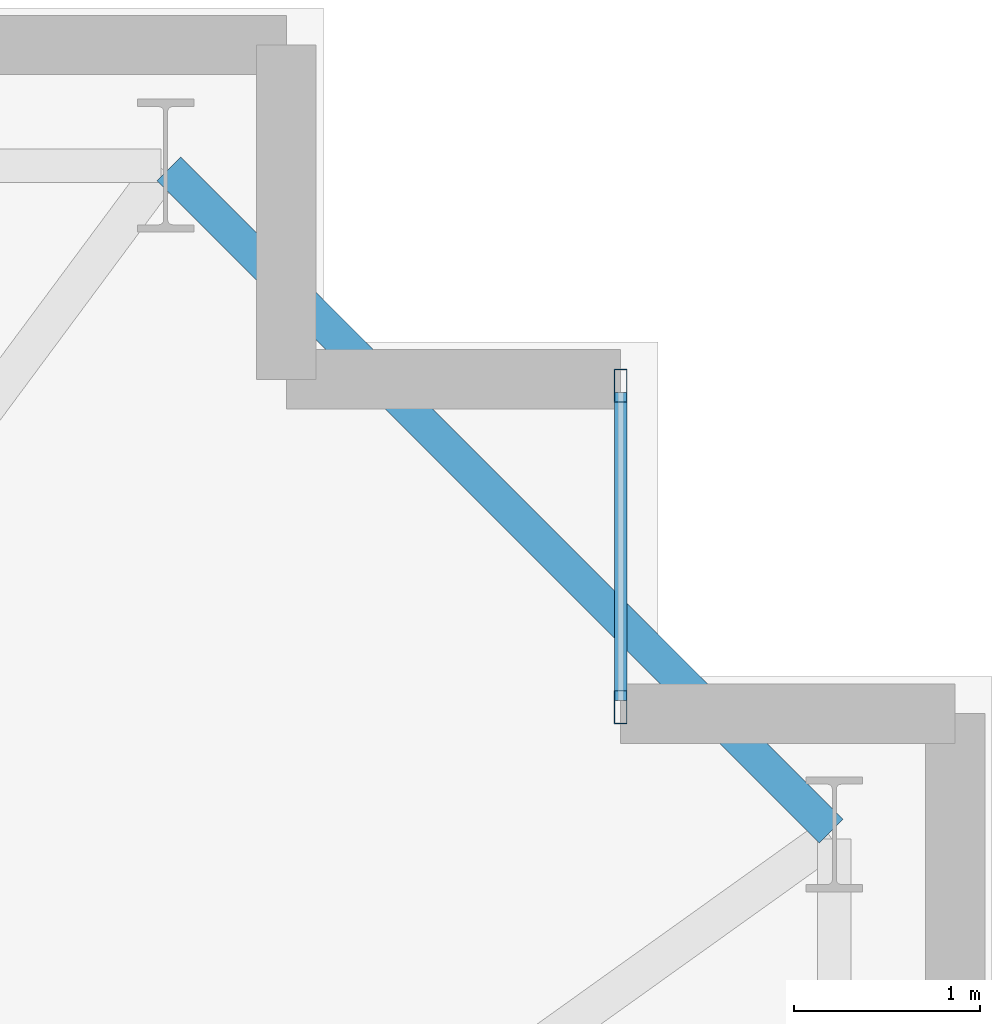
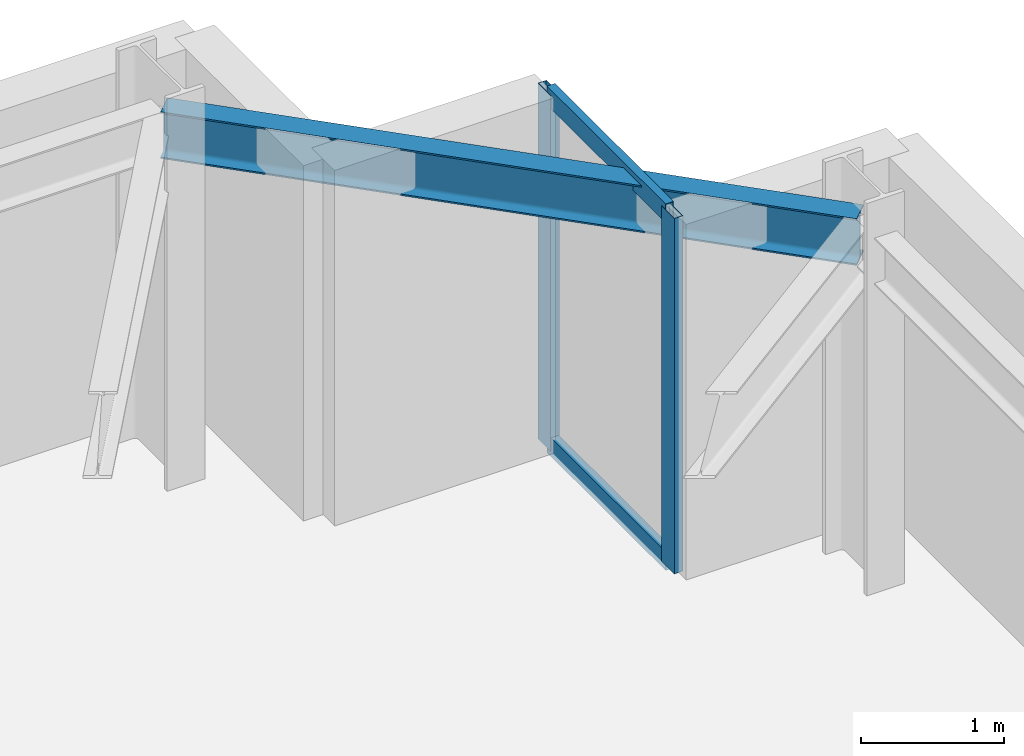
# One storey, part 16 of 26: 4 members, 1 beam, 1 element without a shape of its own.
"""IFC4 building model written with IfcOpenShell, lengths in metres."""

from ifc_helpers import new_model, si_unit, direction, frame, origin, origin_2d, place, context, subcontext, project, spatial, hollow_rectangle, i_section, extrude, material, layer, layer_set, material_profile, profile_set, type_object, element, aggregate, save


model = new_model("IFC4")

# Units and contexts
model_context = context("Model", 3, precision=1e-05, world=origin(), true_north=direction((0.0, 1.0)))
body_context = subcontext(model_context, "Body", "Model", "MODEL_VIEW")
ifc_project = project(units=[si_unit("LENGTHUNIT", "METRE"), si_unit("AREAUNIT", "SQUARE_METRE"), si_unit("VOLUMEUNIT", "CUBIC_METRE"), si_unit("PLANEANGLEUNIT", "RADIAN"), si_unit("MASSUNIT", "GRAM", prefix="KILO")], contexts=[model_context])

# Site, building, storey
site_placement = place(None, origin())
site = spatial("IfcSite", under=ifc_project, at=site_placement, CompositionType="ELEMENT")
building_placement = place(site_placement, origin())
building = spatial("IfcBuilding", under=site, at=building_placement, Name="Qobustan Lattice House", CompositionType="ELEMENT")
storey_placement = place(building_placement, frame((0.0, 0.0, 47.10009765625)))
storey = spatial("IfcBuildingStorey", under=building, at=storey_placement, Name="L12", CompositionType="ELEMENT", Elevation=47.10009765625)

# Beam
ifc_material_1 = material(Name="Steel S355", Category="steel")
ifc_material_profile_1 = material_profile(ifc_material_1, i_section(OverallWidth=0.179931640625, OverallDepth=0.39990234375, WebThickness=0.008544921875, FlangeThickness=0.013427734375, FilletRadius=0.02099609375, at=origin_2d()), Name="IPE400")
ifc_profile_set_1 = profile_set([ifc_material_profile_1], Name="Steel S355")
beam_type = type_object("IfcBeamType", Name="BM-SPD-IPE400", PredefinedType="SPANDREL", material=ifc_profile_set_1)
beam_placement = place(storey_placement, frame((32.13232421875, 15.167724609375, 2.8349609375), z_axis=(-0.707106781187, 0.707106781187, 0.0), x_axis=(-0.707106781187, -0.707106781187, 0.0)))
element("IfcBeam", 1, at=beam_placement, inside=storey, type_object=beam_type, Name="L12 perimeter spandrel E4-N1", PredefinedType="SPANDREL", context=body_context, shape_type="SweptSolid", body=[
    extrude(i_section(OverallWidth=0.179931640625, OverallDepth=0.39990234375, WebThickness=0.008544921875, FlangeThickness=0.013427734375, FilletRadius=0.02099609375, at=origin_2d()), origin(), (0.0, 0.0, 1.0), 5.041259765625),
])

# Curtain wall, members
ifc_material_2 = material(Name="Anodised aluminium and low-E glazing", Category="aluminium")
ifc_layer = layer(ifc_material_2, 0.219970703125)
ifc_layer_set = layer_set([ifc_layer], Name="Anodised aluminium and low-E glazing")
curtain_wall_type = type_object("IfcCurtainWallType", Name="CW-FAC-01", PredefinedType="USERDEFINED", material=ifc_layer_set)
curtain_wall_placement = place(storey_placement, origin())
curtain_wall = element("IfcCurtainWall", 2, at=curtain_wall_placement, inside=storey, type_object=curtain_wall_type, Name="L12 serrated corner faceted glazing 13", ObjectType="CURTAIN WALL", PredefinedType="USERDEFINED")
ifc_material_3 = material(Name="Anodised aluminium EN AW-6063 T6", Category="aluminium")
ifc_material_profile_2 = material_profile(ifc_material_3, hollow_rectangle(XDim=0.070068359375, YDim=0.179931640625, WallThickness=0.00439453125, at=origin_2d()), Name="CWM-180x70")
ifc_profile_set_2 = profile_set([ifc_material_profile_2], Name="Anodised aluminium EN AW-6063 T6")
member_type_1 = type_object("IfcMemberType", Name="CWM-STD-180", PredefinedType="MULLION", material=ifc_profile_set_2)
member_1_placement = place(storey_placement, frame((31.0, 17.56494140625, 0.0), z_axis=(0.0, 0.0, 1.0), x_axis=(1.0, 0.0, 0.0)))
member_1 = element("IfcMember", 3, at=member_1_placement, type_object=member_type_1, Name="CW-F1 mullion 1", PredefinedType="MULLION", context=body_context, shape_type="SweptSolid", body=[
    extrude(hollow_rectangle(XDim=0.070068359375, YDim=0.179931640625, WallThickness=0.00439453125, at=origin_2d()), origin(), (0.0, 0.0, 1.0), 3.034912109375),
])
member_2_placement = place(storey_placement, frame((31.0, 15.8349609375, 0.0), z_axis=(0.0, 0.0, 1.0), x_axis=(1.0, 0.0, 0.0)))
member_2 = element("IfcMember", 4, at=member_2_placement, type_object=member_type_1, Name="CW-F1 mullion 2", PredefinedType="MULLION", context=body_context, shape_type="SweptSolid", body=[
    extrude(hollow_rectangle(XDim=0.070068359375, YDim=0.179931640625, WallThickness=0.00439453125, at=origin_2d()), origin(), (0.0, 0.0, 1.0), 3.034912109375),
])
ifc_material_4 = material(Name="Anodised aluminium EN AW-6063 T6", Category="aluminium")
ifc_material_profile_3 = material_profile(ifc_material_4, hollow_rectangle(XDim=0.06494140625, YDim=0.159912109375, WallThickness=0.00390625, at=origin_2d()), Name="CWT-160x65")
ifc_profile_set_3 = profile_set([ifc_material_profile_3], Name="Anodised aluminium EN AW-6063 T6")
member_type_2 = type_object("IfcMemberType", Name="CWT-HOR-160", PredefinedType="USERDEFINED", material=ifc_profile_set_3)
member_3_placement = place(storey_placement, frame((31.0, 17.530029296875, 0.032470703125), z_axis=(0.0, -1.0, 0.0), x_axis=(1.0, 0.0, 0.0)))
member_3 = element("IfcMember", 5, at=member_3_placement, type_object=member_type_2, Name="CW-F1 transom 1.1", ObjectType="TRANSOM", PredefinedType="USERDEFINED", context=body_context, shape_type="SweptSolid", body=[
    extrude(hollow_rectangle(XDim=0.06494140625, YDim=0.159912109375, WallThickness=0.00390625, at=origin_2d()), origin(), (0.0, 0.0, 1.0), 1.659912109375),
])
member_4_placement = place(storey_placement, frame((31.0, 17.530029296875, 3.00244140625), z_axis=(0.0, -1.0, 0.0), x_axis=(1.0, 0.0, 0.0)))
member_4 = element("IfcMember", 6, at=member_4_placement, type_object=member_type_2, Name="CW-F1 transom 1.2", ObjectType="TRANSOM", PredefinedType="USERDEFINED", context=body_context, shape_type="SweptSolid", body=[
    extrude(hollow_rectangle(XDim=0.06494140625, YDim=0.159912109375, WallThickness=0.00390625, at=origin_2d()), origin(), (0.0, 0.0, 1.0), 1.659912109375),
])
aggregate(curtain_wall, [member_1, member_2, member_3, member_4])

save(model, "model.ifc")
